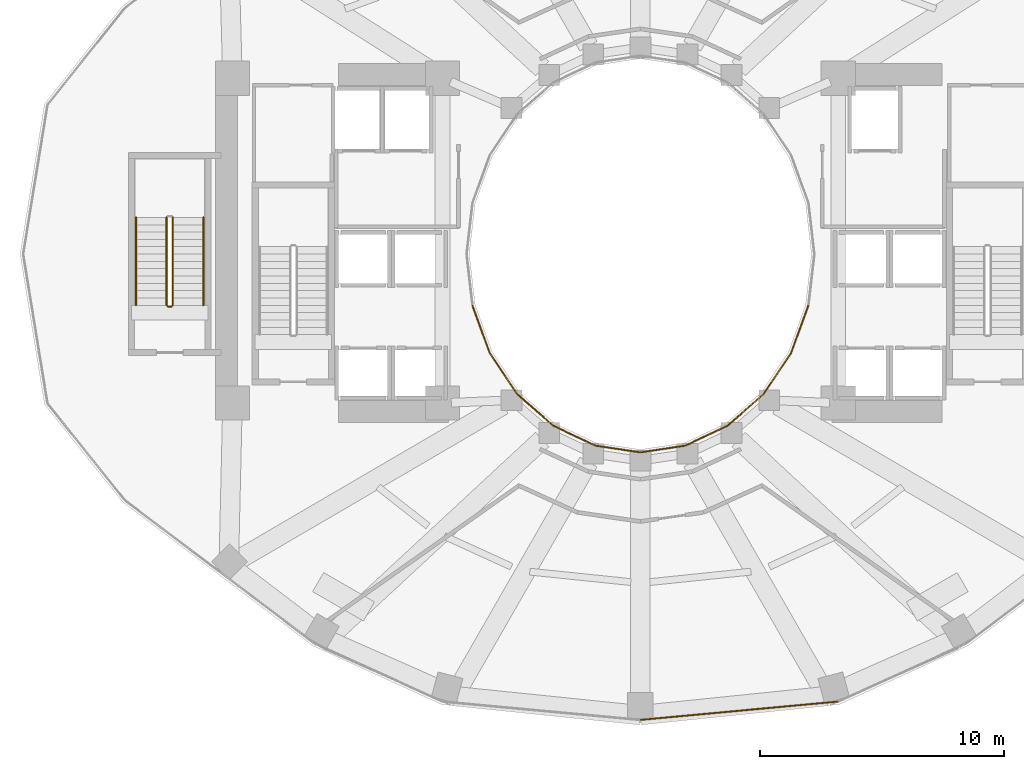
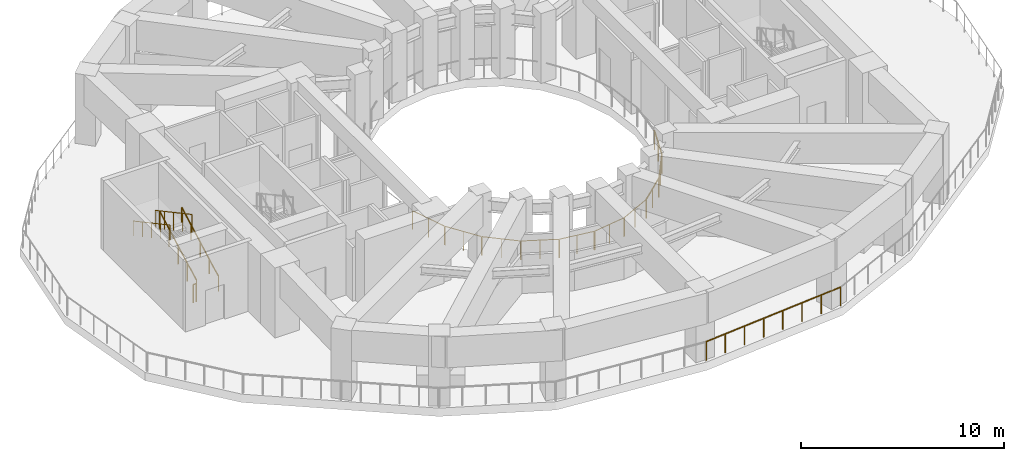
# One storey, part 6 of 10: 16 railings.
"""IFC4 building model written with IfcOpenShell, lengths in metres."""

from ifc_helpers import new_model, si_unit, direction, frame, origin, origin_2d, place, context, subcontext, project, spatial, circle, extrude, material, type_object, element, save


model = new_model("IFC4")

# Units and contexts
model_context = context("Model", 3, precision=1e-05, world=origin(), true_north=direction((0.0, 1.0)))
body_context = subcontext(model_context, "Body", "Model", "MODEL_VIEW")
ifc_project = project(units=[si_unit("LENGTHUNIT", "METRE"), si_unit("AREAUNIT", "SQUARE_METRE"), si_unit("VOLUMEUNIT", "CUBIC_METRE"), si_unit("PLANEANGLEUNIT", "RADIAN"), si_unit("MASSUNIT", "GRAM", prefix="KILO")], contexts=[model_context])

# Site, building, storey
site_placement = place(None, origin())
site = spatial("IfcSite", under=ifc_project, at=site_placement, CompositionType="ELEMENT")
building_placement = place(site_placement, origin())
building = spatial("IfcBuilding", under=site, at=building_placement, Name="Solvane Sanctuary Tower", CompositionType="ELEMENT")
storey_placement = place(building_placement, frame((0.0, 0.0, 69.0)))
storey = spatial("IfcBuildingStorey", under=building, at=storey_placement, Name="L20", CompositionType="ELEMENT", Elevation=69.0)

# Railings
ifc_material = material(Name="Architectural Stainless Steel 316", Category="steel")
railing_type_1 = type_object("IfcRailingType", Name="Railing GR-BALC-1150", PredefinedType="BALUSTRADE", material=ifc_material)
railing_1_placement = place(storey_placement, frame((32.02001953125, 3.9296875, 0.0)))
element("IfcRailing", 1, at=railing_1_placement, inside=storey, type_object=railing_type_1, Name="L20 Open Void-Portal Perimeter Balustrade 18", PredefinedType="BALUSTRADE", context=body_context, shape_type="SweptSolid", body=[
    extrude(circle(Radius=0.02392578125, at=origin_2d()), frame((0.0, 0.0, 1.1259765625), z_axis=(0.995722660986, 0.092392545146, 0.0), x_axis=(-0.092392545146, 0.995722660986, 0.0)), (0.0, 0.0, 1.0), 8.096435546875),
    extrude(circle(Radius=0.02099609375, at=origin_2d()), origin(), (0.0, 0.0, 1.0), 1.101806640625),
    extrude(circle(Radius=0.02099609375, at=origin_2d()), frame((1.151611328125, 0.10693359375, 0.0)), (0.0, 0.0, 1.0), 1.101806640625),
    extrude(circle(Radius=0.02099609375, at=origin_2d()), frame((2.303466796875, 0.213623046875, 0.0)), (0.0, 0.0, 1.0), 1.101806640625),
    extrude(circle(Radius=0.02099609375, at=origin_2d()), frame((3.455078125, 0.320556640625, 0.0)), (0.0, 0.0, 1.0), 1.101806640625),
    extrude(circle(Radius=0.02099609375, at=origin_2d()), frame((4.606689453125, 0.427490234375, 0.0)), (0.0, 0.0, 1.0), 1.101806640625),
    extrude(circle(Radius=0.02099609375, at=origin_2d()), frame((5.75830078125, 0.534423828125, 0.0)), (0.0, 0.0, 1.0), 1.101806640625),
    extrude(circle(Radius=0.02099609375, at=origin_2d()), frame((6.91015625, 0.64111328125, 0.0)), (0.0, 0.0, 1.0), 1.101806640625),
    extrude(circle(Radius=0.02099609375, at=origin_2d()), frame((8.061767578125, 0.748046875, 0.0)), (0.0, 0.0, 1.0), 1.101806640625),
])
railing_2_placement = place(storey_placement, frame((12.860107421875, 20.89990234375, 0.16162109375)))
element("IfcRailing", 2, at=railing_2_placement, inside=storey, type_object=railing_type_1, Name="L20 ST-3 stair guard 1", PredefinedType="BALUSTRADE", context=body_context, shape_type="SweptSolid", body=[
    extrude(circle(Radius=0.02392578125, at=origin_2d()), frame((0.0, 0.0, 1.076171875), z_axis=(0.0, 0.880474934443, 0.474092701714), x_axis=(-1.0, 0.0, 0.0)), (0.0, 0.0, 1.0), 4.0888671875),
    extrude(circle(Radius=0.02099609375, at=origin_2d()), origin(), (0.0, 0.0, 1.0), 1.052001953125),
    extrude(circle(Radius=0.02099609375, at=origin_2d()), frame((0.0, 0.89990234375, 0.484619140625)), (0.0, 0.0, 1.0), 1.052001953125),
    extrude(circle(Radius=0.02099609375, at=origin_2d()), frame((0.0, 1.800048828125, 0.96923828125)), (0.0, 0.0, 1.0), 1.052001953125),
    extrude(circle(Radius=0.02099609375, at=origin_2d()), frame((0.0, 2.7001953125, 1.453857421875)), (0.0, 0.0, 1.0), 1.052001953125),
    extrude(circle(Radius=0.02099609375, at=origin_2d()), frame((0.0, 3.60009765625, 1.9384765625)), (0.0, 0.0, 1.0), 1.052001953125),
])
railing_3_placement = place(storey_placement, frame((12.60009765625, 24.5, 2.261474609375)))
element("IfcRailing", 3, at=railing_3_placement, inside=storey, type_object=railing_type_1, Name="L20 ST-3 stair guard 3", PredefinedType="BALUSTRADE", context=body_context, shape_type="SweptSolid", body=[
    extrude(circle(Radius=0.02392578125, at=origin_2d()), frame((0.0, 0.0, 1.076171875), z_axis=(0.0, -0.880474934443, 0.474092701714), x_axis=(1.0, 0.0, 0.0)), (0.0, 0.0, 1.0), 4.0888671875),
    extrude(circle(Radius=0.02099609375, at=origin_2d()), origin(), (0.0, 0.0, 1.0), 1.052001953125),
    extrude(circle(Radius=0.02099609375, at=origin_2d()), frame((0.0, -0.89990234375, 0.484619140625)), (0.0, 0.0, 1.0), 1.052001953125),
    extrude(circle(Radius=0.02099609375, at=origin_2d()), frame((0.0, -1.800048828125, 0.96923828125)), (0.0, 0.0, 1.0), 1.052001953125),
    extrude(circle(Radius=0.02099609375, at=origin_2d()), frame((0.0, -2.7001953125, 1.453857421875)), (0.0, 0.0, 1.0), 1.052001953125),
    extrude(circle(Radius=0.02099609375, at=origin_2d()), frame((0.0, -3.60009765625, 1.9384765625)), (0.0, 0.0, 1.0), 1.052001953125),
])
railing_4_placement = place(storey_placement, frame((12.81005859375, 20.85009765625, 0.0)))
element("IfcRailing", 4, at=railing_4_placement, inside=storey, type_object=railing_type_1, Name="L20 ST-3 stair guard 4", PredefinedType="BALUSTRADE", context=body_context, shape_type="SweptSolid", body=[
    extrude(circle(Radius=0.02392578125, at=origin_2d()), frame((0.0, 0.0, 1.076171875), z_axis=(-1.0, 0.0, 0.0), x_axis=(0.0, -1.0, 0.0)), (0.0, 0.0, 1.0), 0.16015625),
    extrude(circle(Radius=0.02099609375, at=origin_2d()), origin(), (0.0, 0.0, 1.0), 1.052001953125),
    extrude(circle(Radius=0.02099609375, at=origin_2d()), frame((-0.16015625, 0.0, 0.0)), (0.0, 0.0, 1.0), 1.052001953125),
])
railing_type_2 = type_object("IfcRailingType", Name="Railing GR-WELL-1150", PredefinedType="GUARDRAIL", material=ifc_material)
railing_5_placement = place(storey_placement, frame((25.12939453125, 20.879638671875, 0.0)))
element("IfcRailing", 5, at=railing_5_placement, inside=storey, type_object=railing_type_2, Name="L20 Open Refuge Light-Well Guardrail 13", PredefinedType="GUARDRAIL", context=body_context, shape_type="SweptSolid", body=[
    extrude(circle(Radius=0.02392578125, at=origin_2d()), frame((0.0, 0.0, 1.1259765625), z_axis=(0.341416925197, -0.93991195502, 0.0), x_axis=(0.93991195502, 0.341416925197, 0.0)), (0.0, 0.0, 1.0), 2.043701171875),
    extrude(circle(Radius=0.02099609375, at=origin_2d()), origin(), (0.0, 0.0, 1.0), 1.101806640625),
    extrude(circle(Radius=0.02099609375, at=origin_2d()), frame((0.348876953125, -0.96044921875, 0.0)), (0.0, 0.0, 1.0), 1.101806640625),
    extrude(circle(Radius=0.02099609375, at=origin_2d()), frame((0.69775390625, -1.9208984375, 0.0)), (0.0, 0.0, 1.0), 1.101806640625),
])
railing_6_placement = place(storey_placement, frame((25.84521484375, 18.92333984375, 0.0)))
element("IfcRailing", 6, at=railing_6_placement, inside=storey, type_object=railing_type_2, Name="L20 Open Refuge Light-Well Guardrail 14", PredefinedType="GUARDRAIL", context=body_context, shape_type="SweptSolid", body=[
    extrude(circle(Radius=0.02392578125, at=origin_2d()), frame((0.0, 0.0, 1.1259765625), z_axis=(0.558155157445, -0.829736596889, 0.0), x_axis=(0.829736596889, 0.558155157445, 0.0)), (0.0, 0.0, 1.0), 1.98681640625),
    extrude(circle(Radius=0.02099609375, at=origin_2d()), origin(), (0.0, 0.0, 1.0), 1.101806640625),
    extrude(circle(Radius=0.02099609375, at=origin_2d()), frame((0.554443359375, -0.82421875, 0.0)), (0.0, 0.0, 1.0), 1.101806640625),
    extrude(circle(Radius=0.02099609375, at=origin_2d()), frame((1.10888671875, -1.6484375, 0.0)), (0.0, 0.0, 1.0), 1.101806640625),
])
railing_7_placement = place(storey_placement, frame((26.98046875, 17.2451171875, 0.0)))
element("IfcRailing", 7, at=railing_7_placement, inside=storey, type_object=railing_type_2, Name="L20 Open Refuge Light-Well Guardrail 15", PredefinedType="GUARDRAIL", context=body_context, shape_type="SweptSolid", body=[
    extrude(circle(Radius=0.02392578125, at=origin_2d()), frame((0.0, 0.0, 1.1259765625), z_axis=(0.752545174005, -0.658540629788, 0.0), x_axis=(0.658540629788, 0.752545174005, 0.0)), (0.0, 0.0, 1.0), 1.919189453125),
    extrude(circle(Radius=0.02099609375, at=origin_2d()), origin(), (0.0, 0.0, 1.0), 1.101806640625),
    extrude(circle(Radius=0.02099609375, at=origin_2d()), frame((0.72216796875, -0.6318359375, 0.0)), (0.0, 0.0, 1.0), 1.101806640625),
    extrude(circle(Radius=0.02099609375, at=origin_2d()), frame((1.4443359375, -1.263916015625, 0.0)), (0.0, 0.0, 1.0), 1.101806640625),
])
railing_8_placement = place(storey_placement, frame((28.4580078125, 15.95947265625, 0.0)))
element("IfcRailing", 8, at=railing_8_placement, inside=storey, type_object=railing_type_2, Name="L20 Open Refuge Light-Well Guardrail 16", PredefinedType="GUARDRAIL", context=body_context, shape_type="SweptSolid", body=[
    extrude(circle(Radius=0.02392578125, at=origin_2d()), frame((0.0, 0.0, 1.1259765625), z_axis=(0.90418385242, -0.427143489968, 0.0), x_axis=(0.427143489968, 0.90418385242, 0.0)), (0.0, 0.0, 1.0), 1.859375),
    extrude(circle(Radius=0.02099609375, at=origin_2d()), origin(), (0.0, 0.0, 1.0), 1.101806640625),
    extrude(circle(Radius=0.02099609375, at=origin_2d()), frame((0.840576171875, -0.39697265625, 0.0)), (0.0, 0.0, 1.0), 1.101806640625),
    extrude(circle(Radius=0.02099609375, at=origin_2d()), frame((1.68115234375, -0.794189453125, 0.0)), (0.0, 0.0, 1.0), 1.101806640625),
])
railing_9_placement = place(storey_placement, frame((30.177001953125, 15.15380859375, 0.0)))
element("IfcRailing", 9, at=railing_9_placement, inside=storey, type_object=railing_type_2, Name="L20 Open Refuge Light-Well Guardrail 17", PredefinedType="GUARDRAIL", context=body_context, shape_type="SweptSolid", body=[
    extrude(circle(Radius=0.02392578125, at=origin_2d()), frame((0.0, 0.0, 1.1259765625), z_axis=(0.988914736588, -0.148484489964, 0.0), x_axis=(0.148484489964, 0.988914736588, 0.0)), (0.0, 0.0, 1.0), 1.823486328125),
    extrude(circle(Radius=0.02099609375, at=origin_2d()), origin(), (0.0, 0.0, 1.0), 1.101806640625),
    extrude(circle(Radius=0.02099609375, at=origin_2d()), frame((0.901611328125, -0.13525390625, 0.0)), (0.0, 0.0, 1.0), 1.101806640625),
    extrude(circle(Radius=0.02099609375, at=origin_2d()), frame((1.80322265625, -0.270751953125, 0.0)), (0.0, 0.0, 1.0), 1.101806640625),
])
railing_10_placement = place(storey_placement, frame((32.019775390625, 14.883056640625, 0.0)))
element("IfcRailing", 10, at=railing_10_placement, inside=storey, type_object=railing_type_2, Name="L20 Open Refuge Light-Well Guardrail 18", PredefinedType="GUARDRAIL", context=body_context, shape_type="SweptSolid", body=[
    extrude(circle(Radius=0.02392578125, at=origin_2d()), frame((0.0, 0.0, 1.1259765625), z_axis=(0.988914736588, 0.148484489964, 0.0), x_axis=(-0.148484489964, 0.988914736588, 0.0)), (0.0, 0.0, 1.0), 1.823486328125),
    extrude(circle(Radius=0.02099609375, at=origin_2d()), origin(), (0.0, 0.0, 1.0), 1.101806640625),
    extrude(circle(Radius=0.02099609375, at=origin_2d()), frame((0.901611328125, 0.13525390625, 0.0)), (0.0, 0.0, 1.0), 1.101806640625),
    extrude(circle(Radius=0.02099609375, at=origin_2d()), frame((1.80322265625, 0.270751953125, 0.0)), (0.0, 0.0, 1.0), 1.101806640625),
])
railing_11_placement = place(storey_placement, frame((33.86083984375, 15.165283203125, 0.0)))
element("IfcRailing", 11, at=railing_11_placement, inside=storey, type_object=railing_type_2, Name="L20 Open Refuge Light-Well Guardrail 19", PredefinedType="GUARDRAIL", context=body_context, shape_type="SweptSolid", body=[
    extrude(circle(Radius=0.02392578125, at=origin_2d()), frame((0.0, 0.0, 1.1259765625), z_axis=(0.90418385242, 0.427143489968, 0.0), x_axis=(-0.427143489968, 0.90418385242, 0.0)), (0.0, 0.0, 1.0), 1.859375),
    extrude(circle(Radius=0.02099609375, at=origin_2d()), origin(), (0.0, 0.0, 1.0), 1.101806640625),
    extrude(circle(Radius=0.02099609375, at=origin_2d()), frame((0.840576171875, 0.39697265625, 0.0)), (0.0, 0.0, 1.0), 1.101806640625),
    extrude(circle(Radius=0.02099609375, at=origin_2d()), frame((1.68115234375, 0.794189453125, 0.0)), (0.0, 0.0, 1.0), 1.101806640625),
])
railing_12_placement = place(storey_placement, frame((35.5751953125, 15.981201171875, 0.0)))
element("IfcRailing", 12, at=railing_12_placement, inside=storey, type_object=railing_type_2, Name="L20 Open Refuge Light-Well Guardrail 20", PredefinedType="GUARDRAIL", context=body_context, shape_type="SweptSolid", body=[
    extrude(circle(Radius=0.02392578125, at=origin_2d()), frame((0.0, 0.0, 1.1259765625), z_axis=(0.752545174005, 0.658540629788, 0.0), x_axis=(-0.658540629788, 0.752545174005, 0.0)), (0.0, 0.0, 1.0), 1.919189453125),
    extrude(circle(Radius=0.02099609375, at=origin_2d()), origin(), (0.0, 0.0, 1.0), 1.101806640625),
    extrude(circle(Radius=0.02099609375, at=origin_2d()), frame((0.72216796875, 0.6318359375, 0.0)), (0.0, 0.0, 1.0), 1.101806640625),
    extrude(circle(Radius=0.02099609375, at=origin_2d()), frame((1.4443359375, 1.263916015625, 0.0)), (0.0, 0.0, 1.0), 1.101806640625),
])
railing_13_placement = place(storey_placement, frame((37.0458984375, 17.27490234375, 0.0)))
element("IfcRailing", 13, at=railing_13_placement, inside=storey, type_object=railing_type_2, Name="L20 Open Refuge Light-Well Guardrail 21", PredefinedType="GUARDRAIL", context=body_context, shape_type="SweptSolid", body=[
    extrude(circle(Radius=0.02392578125, at=origin_2d()), frame((0.0, 0.0, 1.1259765625), z_axis=(0.558155157445, 0.829736596889, 0.0), x_axis=(-0.829736596889, 0.558155157445, 0.0)), (0.0, 0.0, 1.0), 1.98681640625),
    extrude(circle(Radius=0.02099609375, at=origin_2d()), origin(), (0.0, 0.0, 1.0), 1.101806640625),
    extrude(circle(Radius=0.02099609375, at=origin_2d()), frame((0.554443359375, 0.82421875, 0.0)), (0.0, 0.0, 1.0), 1.101806640625),
    extrude(circle(Radius=0.02099609375, at=origin_2d()), frame((1.10888671875, 1.6484375, 0.0)), (0.0, 0.0, 1.0), 1.101806640625),
])
railing_14_placement = place(storey_placement, frame((38.1728515625, 18.958740234375, 0.0)))
element("IfcRailing", 14, at=railing_14_placement, inside=storey, type_object=railing_type_2, Name="L20 Open Refuge Light-Well Guardrail 22", PredefinedType="GUARDRAIL", context=body_context, shape_type="SweptSolid", body=[
    extrude(circle(Radius=0.02392578125, at=origin_2d()), frame((0.0, 0.0, 1.1259765625), z_axis=(0.341416925197, 0.93991195502, 0.0), x_axis=(-0.93991195502, 0.341416925197, 0.0)), (0.0, 0.0, 1.0), 2.043701171875),
    extrude(circle(Radius=0.02099609375, at=origin_2d()), origin(), (0.0, 0.0, 1.0), 1.101806640625),
    extrude(circle(Radius=0.02099609375, at=origin_2d()), frame((0.348876953125, 0.96044921875, 0.0)), (0.0, 0.0, 1.0), 1.101806640625),
    extrude(circle(Radius=0.02099609375, at=origin_2d()), frame((0.69775390625, 1.9208984375, 0.0)), (0.0, 0.0, 1.0), 1.101806640625),
])
railing_type_3 = type_object("IfcRailingType", Name="Railing HR-STAIR-920", PredefinedType="HANDRAIL", material=ifc_material)
railing_15_placement = place(storey_placement, frame((14.110107421875, 20.89990234375, 0.16162109375)))
element("IfcRailing", 15, at=railing_15_placement, inside=storey, type_object=railing_type_3, Name="L20 ST-3 stair handrail 1", PredefinedType="HANDRAIL", context=body_context, shape_type="SweptSolid", body=[
    extrude(circle(Radius=0.02392578125, at=origin_2d()), frame((0.0, 0.0, 0.8759765625), z_axis=(0.0, 0.880474934443, 0.474092701714), x_axis=(-1.0, 0.0, 0.0)), (0.0, 0.0, 1.0), 4.0888671875),
    extrude(circle(Radius=0.02099609375, at=origin_2d()), origin(), (0.0, 0.0, 1.0), 0.851806640625),
    extrude(circle(Radius=0.02099609375, at=origin_2d()), frame((0.0, 0.89990234375, 0.484619140625)), (0.0, 0.0, 1.0), 0.851806640625),
    extrude(circle(Radius=0.02099609375, at=origin_2d()), frame((0.0, 1.800048828125, 0.96923828125)), (0.0, 0.0, 1.0), 0.851806640625),
    extrude(circle(Radius=0.02099609375, at=origin_2d()), frame((0.0, 2.7001953125, 1.453857421875)), (0.0, 0.0, 1.0), 0.851806640625),
    extrude(circle(Radius=0.02099609375, at=origin_2d()), frame((0.0, 3.60009765625, 1.9384765625)), (0.0, 0.0, 1.0), 0.851806640625),
])
railing_16_placement = place(storey_placement, frame((11.35009765625, 24.5, 2.261474609375)))
element("IfcRailing", 16, at=railing_16_placement, inside=storey, type_object=railing_type_3, Name="L20 ST-3 stair handrail 2", PredefinedType="HANDRAIL", context=body_context, shape_type="SweptSolid", body=[
    extrude(circle(Radius=0.02392578125, at=origin_2d()), frame((0.0, 0.0, 0.8759765625), z_axis=(0.0, -0.880474934443, 0.474092701714), x_axis=(1.0, 0.0, 0.0)), (0.0, 0.0, 1.0), 4.0888671875),
    extrude(circle(Radius=0.02099609375, at=origin_2d()), origin(), (0.0, 0.0, 1.0), 0.851806640625),
    extrude(circle(Radius=0.02099609375, at=origin_2d()), frame((0.0, -0.89990234375, 0.484619140625)), (0.0, 0.0, 1.0), 0.851806640625),
    extrude(circle(Radius=0.02099609375, at=origin_2d()), frame((0.0, -1.800048828125, 0.96923828125)), (0.0, 0.0, 1.0), 0.851806640625),
    extrude(circle(Radius=0.02099609375, at=origin_2d()), frame((0.0, -2.7001953125, 1.453857421875)), (0.0, 0.0, 1.0), 0.851806640625),
    extrude(circle(Radius=0.02099609375, at=origin_2d()), frame((0.0, -3.60009765625, 1.9384765625)), (0.0, 0.0, 1.0), 0.851806640625),
])

save(model, "model.ifc")
